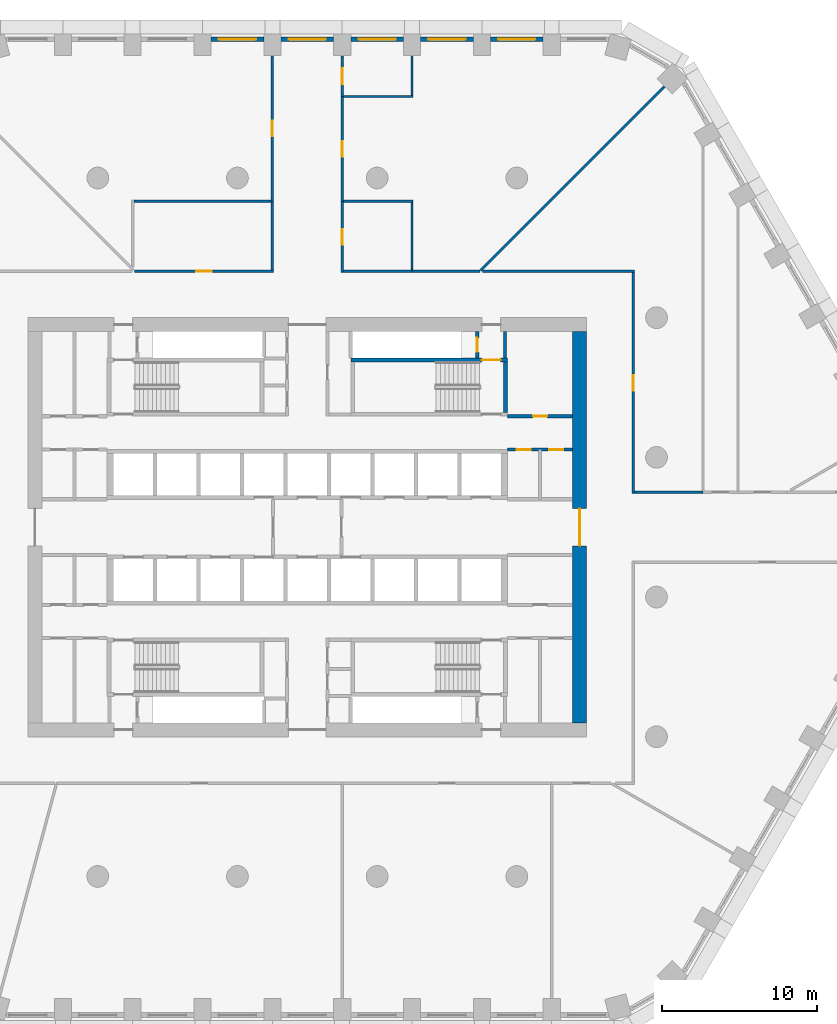
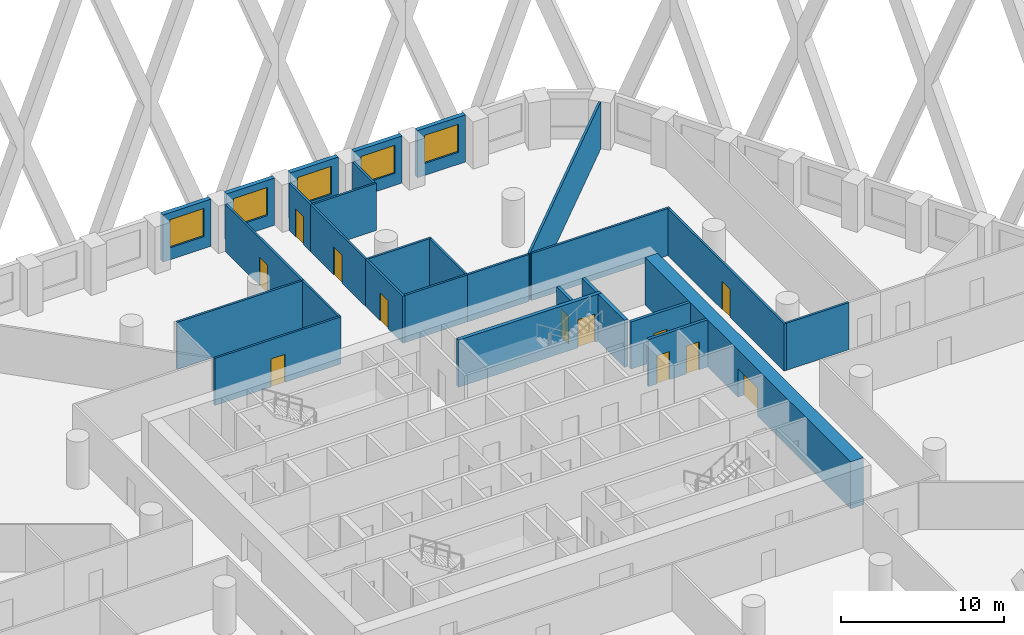
# One storey, part 7 of 18: 29 walls, 12 doors, 5 windows, 17 openings.
"""IFC4 building model written with IfcOpenShell, lengths in metres."""

from ifc_helpers import new_model, si_unit, direction, frame, frame_2d, origin, place, context, subcontext, project, spatial, rectangle, extrude, material, layer, layer_set, type_object, element, fill, save


model = new_model("IFC4")

# Units and contexts
model_context = context("Model", 3, precision=1e-05, world=origin(), true_north=direction((0.0, 1.0)))
body_context = subcontext(model_context, "Body", "Model", "MODEL_VIEW")
ifc_project = project(units=[si_unit("LENGTHUNIT", "METRE"), si_unit("AREAUNIT", "SQUARE_METRE"), si_unit("VOLUMEUNIT", "CUBIC_METRE"), si_unit("PLANEANGLEUNIT", "RADIAN"), si_unit("MASSUNIT", "GRAM", prefix="KILO")], contexts=[model_context])

# Site, building, storey
site_placement = place(None, origin())
site = spatial("IfcSite", under=ifc_project, at=site_placement, CompositionType="ELEMENT")
building_placement = place(site_placement, origin())
building = spatial("IfcBuilding", under=site, at=building_placement, Name="Dhurran Vertical Campus", CompositionType="ELEMENT")
storey_placement = place(building_placement, frame((0.0, 0.0, 53.39990234375)))
storey = spatial("IfcBuildingStorey", under=building, at=storey_placement, Name="L12", CompositionType="ELEMENT", Elevation=53.39990234375)

# Wall, opening, window
ifc_material_1 = material(Name="Precast concrete C50/60", Category="concrete")
ifc_layer_1 = layer(ifc_material_1, 0.300048828125)
ifc_layer_set_1 = layer_set([ifc_layer_1], Name="Precast concrete C50/60")
wall_type_1 = type_object("IfcWallType", Name="Precast spandrel wall 300", PredefinedType="SOLIDWALL", material=ifc_layer_set_1)
wall_1_placement = place(storey_placement, frame((15.199462890625, 31.4296875, 0.0), z_axis=(0.0, 0.0, 1.0), x_axis=(-1.0, 0.0, 0.0)))
wall_1 = element("IfcWall", 1, at=wall_1_placement, inside=storey, type_object=wall_type_1, Name="EW1 L12.27", PredefinedType="SOLIDWALL", context=body_context, shape_type="SweptSolid", body=[
    extrude(rectangle(XDim=3.39892578125, YDim=0.300048828125, at=frame_2d((1.699462890625, 0.0))), origin(), (0.0, 0.0, 1.0), 3.525146484375),
])
opening_1_placement = place(wall_1_placement, frame((0.49951171875, 0.0, 0.89990234375)))
opening_1 = element("IfcOpeningElement", 2, at=opening_1_placement, cuts=wall_1, Name="Opening WT1", PredefinedType="OPENING", context=body_context, shape_type="SweptSolid", body=[
    extrude(rectangle(XDim=2.39990234375, YDim=2.10009765625, at=frame_2d((1.199951171875, 1.050048828125))), frame((0.0, 0.159912109375, 0.0), z_axis=(0.0, -1.0, 0.0), x_axis=(1.0, 0.0, 0.0)), (0.0, 0.0, 1.0), 0.320068359375),
])
ifc_material_2 = material(Name="Aluminium frame with solar-control glass", Category="aluminium")
window_type = type_object("IfcWindowType", Name="Punched window 2400 x 2100", PartitioningType="SINGLE_PANEL", PredefinedType="WINDOW", material=ifc_material_2)
window_1_placement = place(opening_1_placement, origin())
window_1 = element("IfcWindow", 3, at=window_1_placement, inside=storey, type_object=window_type, Name="WT1 L12.27", OverallHeight=2.10009765625, OverallWidth=2.39990234375, PartitioningType="SINGLE_PANEL", PredefinedType="WINDOW", context=body_context, shape_type="SweptSolid", body=[
    extrude(rectangle(XDim=2.39990234375, YDim=2.10009765625, at=frame_2d((1.199951171875, 1.050048828125))), frame((0.0, 0.030029296875, 0.0), z_axis=(0.0, -1.0, 0.0), x_axis=(1.0, 0.0, 0.0)), (0.0, 0.0, 1.0), 0.06005859375),
])
fill(opening_1, window_1)

wall_2_placement = place(storey_placement, frame((10.699462890625, 31.4296875, 0.0), z_axis=(0.0, 0.0, 1.0), x_axis=(-1.0, 0.0, 0.0)))
wall_2 = element("IfcWall", 4, at=wall_2_placement, inside=storey, type_object=wall_type_1, Name="EW1 L12.28", PredefinedType="SOLIDWALL", context=body_context, shape_type="SweptSolid", body=[
    extrude(rectangle(XDim=3.39892578125, YDim=0.300048828125, at=frame_2d((1.699462890625, 0.0))), origin(), (0.0, 0.0, 1.0), 3.525146484375),
])
opening_2_placement = place(wall_2_placement, frame((0.49951171875, 0.0, 0.89990234375)))
opening_2 = element("IfcOpeningElement", 5, at=opening_2_placement, cuts=wall_2, Name="Opening WT1", PredefinedType="OPENING", context=body_context, shape_type="SweptSolid", body=[
    extrude(rectangle(XDim=2.39990234375, YDim=2.10009765625, at=frame_2d((1.199951171875, 1.050048828125))), frame((0.0, 0.159912109375, 0.0), z_axis=(0.0, -1.0, 0.0), x_axis=(1.0, 0.0, 0.0)), (0.0, 0.0, 1.0), 0.320068359375),
])
window_2_placement = place(opening_2_placement, origin())
window_2 = element("IfcWindow", 6, at=window_2_placement, inside=storey, type_object=window_type, Name="WT1 L12.28", OverallHeight=2.10009765625, OverallWidth=2.39990234375, PartitioningType="SINGLE_PANEL", PredefinedType="WINDOW", context=body_context, shape_type="SweptSolid", body=[
    extrude(rectangle(XDim=2.39990234375, YDim=2.10009765625, at=frame_2d((1.199951171875, 1.050048828125))), frame((0.0, 0.030029296875, 0.0), z_axis=(0.0, -1.0, 0.0), x_axis=(1.0, 0.0, 0.0)), (0.0, 0.0, 1.0), 0.06005859375),
])
fill(opening_2, window_2)

wall_3_placement = place(storey_placement, frame((6.199462890625, 31.4296875, 0.0), z_axis=(0.0, 0.0, 1.0), x_axis=(-1.0, 0.0, 0.0)))
wall_3 = element("IfcWall", 7, at=wall_3_placement, inside=storey, type_object=wall_type_1, Name="EW1 L12.29", PredefinedType="SOLIDWALL", context=body_context, shape_type="SweptSolid", body=[
    extrude(rectangle(XDim=3.39892578125, YDim=0.300048828125, at=frame_2d((1.699462890625, 0.0))), origin(), (0.0, 0.0, 1.0), 3.525146484375),
])
opening_3_placement = place(wall_3_placement, frame((0.49951171875, 0.0, 0.89990234375)))
opening_3 = element("IfcOpeningElement", 8, at=opening_3_placement, cuts=wall_3, Name="Opening WT1", PredefinedType="OPENING", context=body_context, shape_type="SweptSolid", body=[
    extrude(rectangle(XDim=2.39990234375, YDim=2.10009765625, at=frame_2d((1.199951171875, 1.050048828125))), frame((0.0, 0.159912109375, 0.0), z_axis=(0.0, -1.0, 0.0), x_axis=(1.0, 0.0, 0.0)), (0.0, 0.0, 1.0), 0.320068359375),
])
window_3_placement = place(opening_3_placement, origin())
window_3 = element("IfcWindow", 9, at=window_3_placement, inside=storey, type_object=window_type, Name="WT1 L12.29", OverallHeight=2.10009765625, OverallWidth=2.39990234375, PartitioningType="SINGLE_PANEL", PredefinedType="WINDOW", context=body_context, shape_type="SweptSolid", body=[
    extrude(rectangle(XDim=2.39990234375, YDim=2.10009765625, at=frame_2d((1.199951171875, 1.050048828125))), frame((0.0, 0.030029296875, 0.0), z_axis=(0.0, -1.0, 0.0), x_axis=(1.0, 0.0, 0.0)), (0.0, 0.0, 1.0), 0.06005859375),
])
fill(opening_3, window_3)

wall_4_placement = place(storey_placement, frame((1.699462890625, 31.4296875, 0.0), z_axis=(0.0, 0.0, 1.0), x_axis=(-1.0, 0.0, 0.0)))
wall_4 = element("IfcWall", 10, at=wall_4_placement, inside=storey, type_object=wall_type_1, Name="EW1 L12.30", PredefinedType="SOLIDWALL", context=body_context, shape_type="SweptSolid", body=[
    extrude(rectangle(XDim=3.39892578125, YDim=0.300048828125, at=frame_2d((1.699462890625, 0.0))), origin(), (0.0, 0.0, 1.0), 3.525146484375),
])
opening_4_placement = place(wall_4_placement, frame((0.49951171875, 0.0, 0.89990234375)))
opening_4 = element("IfcOpeningElement", 11, at=opening_4_placement, cuts=wall_4, Name="Opening WT1", PredefinedType="OPENING", context=body_context, shape_type="SweptSolid", body=[
    extrude(rectangle(XDim=2.39990234375, YDim=2.10009765625, at=frame_2d((1.199951171875, 1.050048828125))), frame((0.0, 0.159912109375, 0.0), z_axis=(0.0, -1.0, 0.0), x_axis=(1.0, 0.0, 0.0)), (0.0, 0.0, 1.0), 0.320068359375),
])
window_4_placement = place(opening_4_placement, origin())
window_4 = element("IfcWindow", 12, at=window_4_placement, inside=storey, type_object=window_type, Name="WT1 L12.30", OverallHeight=2.10009765625, OverallWidth=2.39990234375, PartitioningType="SINGLE_PANEL", PredefinedType="WINDOW", context=body_context, shape_type="SweptSolid", body=[
    extrude(rectangle(XDim=2.39990234375, YDim=2.10009765625, at=frame_2d((1.199951171875, 1.050048828125))), frame((0.0, 0.030029296875, 0.0), z_axis=(0.0, -1.0, 0.0), x_axis=(1.0, 0.0, 0.0)), (0.0, 0.0, 1.0), 0.06005859375),
])
fill(opening_4, window_4)

wall_5_placement = place(storey_placement, frame((-2.800537109375, 31.4296875, 0.0), z_axis=(0.0, 0.0, 1.0), x_axis=(-1.0, 0.0, 0.0)))
wall_5 = element("IfcWall", 13, at=wall_5_placement, inside=storey, type_object=wall_type_1, Name="EW1 L12.31", PredefinedType="SOLIDWALL", context=body_context, shape_type="SweptSolid", body=[
    extrude(rectangle(XDim=3.39892578125, YDim=0.300048828125, at=frame_2d((1.699462890625, 0.0))), origin(), (0.0, 0.0, 1.0), 3.525146484375),
])
opening_5_placement = place(wall_5_placement, frame((0.49951171875, 0.0, 0.89990234375)))
opening_5 = element("IfcOpeningElement", 14, at=opening_5_placement, cuts=wall_5, Name="Opening WT1", PredefinedType="OPENING", context=body_context, shape_type="SweptSolid", body=[
    extrude(rectangle(XDim=2.39990234375, YDim=2.10009765625, at=frame_2d((1.199951171875, 1.050048828125))), frame((0.0, 0.159912109375, 0.0), z_axis=(0.0, -1.0, 0.0), x_axis=(1.0, 0.0, 0.0)), (0.0, 0.0, 1.0), 0.320068359375),
])
window_5_placement = place(opening_5_placement, origin())
window_5 = element("IfcWindow", 15, at=window_5_placement, inside=storey, type_object=window_type, Name="WT1 L12.31", OverallHeight=2.10009765625, OverallWidth=2.39990234375, PartitioningType="SINGLE_PANEL", PredefinedType="WINDOW", context=body_context, shape_type="SweptSolid", body=[
    extrude(rectangle(XDim=2.39990234375, YDim=2.10009765625, at=frame_2d((1.199951171875, 1.050048828125))), frame((0.0, 0.030029296875, 0.0), z_axis=(0.0, -1.0, 0.0), x_axis=(1.0, 0.0, 0.0)), (0.0, 0.0, 1.0), 0.06005859375),
])
fill(opening_5, window_5)

# Wall, opening, door
ifc_material_3 = material(Name="Concrete C60/75", Category="concrete")
ifc_layer_2 = layer(ifc_material_3, 0.89990234375)
ifc_layer_set_2 = layer_set([ifc_layer_2], Name="Concrete C60/75")
wall_type_2 = type_object("IfcWallType", Name="co-CORE-WALL-C0-900", PredefinedType="SHEAR", material=ifc_layer_set_2)
wall_6_placement = place(storey_placement, frame((17.550048828125, -12.60009765625, 0.0), z_axis=(0.0, 0.0, 1.0), x_axis=(0.0, 1.0, 0.0)))
wall_6 = element("IfcWall", 16, at=wall_6_placement, inside=storey, type_object=wall_type_2, Name="Core wall E L12", PredefinedType="SHEAR", context=body_context, shape_type="SweptSolid", body=[
    extrude(rectangle(XDim=25.2001953125, YDim=0.89990234375, at=frame_2d((12.60009765625, 0.0))), origin(), (0.0, 0.0, 1.0), 3.525146484375),
])
opening_6_placement = place(wall_6_placement, frame((11.39990234375, 0.0, 0.0)))
opening_6 = element("IfcOpeningElement", 17, at=opening_6_placement, cuts=wall_6, Name="Opening CL2", PredefinedType="OPENING", context=body_context, shape_type="SweptSolid", body=[
    extrude(rectangle(XDim=2.39990234375, YDim=2.10009765625, at=frame_2d((1.199951171875, 1.050048828125))), frame((0.0, 0.4599609375, 0.0), z_axis=(0.0, -1.0, 0.0), x_axis=(1.0, 0.0, 0.0)), (0.0, 0.0, 1.0), 0.919921875),
])
ifc_material_4 = material(Name="Fire-rated glazed door set")
door_type_1 = type_object("IfcDoorType", Name="co-D-LOBBY 2400x2100", OperationType="DOUBLE_DOOR_DOUBLE_SWING", PredefinedType="DOOR", material=ifc_material_4)
door_1_placement = place(opening_6_placement, origin())
door_1 = element("IfcDoor", 18, at=door_1_placement, inside=storey, type_object=door_type_1, Name="Lift lobby door E L12", OperationType="DOUBLE_DOOR_DOUBLE_SWING", OverallHeight=2.10009765625, OverallWidth=2.39990234375, PredefinedType="DOOR", context=body_context, shape_type="SweptSolid", body=[
    extrude(rectangle(XDim=2.39990234375, YDim=2.10009765625, at=frame_2d((1.199951171875, 1.050048828125))), frame((0.0, 0.02490234375, 0.0), z_axis=(0.0, -1.0, 0.0), x_axis=(1.0, 0.0, 0.0)), (0.0, 0.0, 1.0), 0.050048828125),
])
fill(opening_6, door_1)

# Wall
ifc_material_5 = material(Name="Fire-rated masonry blockwork", Category="masonry")
ifc_layer_3 = layer(ifc_material_5, 0.199951171875)
ifc_layer_set_3 = layer_set([ifc_layer_3], Name="Fire-rated masonry blockwork")
wall_type_3 = type_object("IfcWallType", Name="co-FIRE-PARTITION-200", PredefinedType="PARTITIONING", material=ifc_layer_set_3)
wall_7_placement = place(storey_placement, frame((12.75, 10.89990234375, 0.0), z_axis=(0.0, 0.0, 1.0), x_axis=(0.0, 1.0, 0.0)))
element("IfcWall", 19, at=wall_7_placement, inside=storey, type_object=wall_type_3, Name="Core partition pass-ST2-o L12", PredefinedType="PARTITIONING", context=body_context, shape_type="SweptSolid", body=[
    extrude(rectangle(XDim=1.7001953125, YDim=0.199951171875, at=frame_2d((0.85009765625, 0.0))), origin(), (0.0, 0.0, 1.0), 3.525146484375),
])

# Wall, opening, door
wall_8_placement = place(storey_placement, frame((10.949951171875, 10.89990234375, 0.0), z_axis=(0.0, 0.0, 1.0), x_axis=(0.0, 1.0, 0.0)))
wall_8 = element("IfcWall", 20, at=wall_8_placement, inside=storey, type_object=wall_type_3, Name="Core partition pass-ST2-i L12", PredefinedType="PARTITIONING", context=body_context, shape_type="SweptSolid", body=[
    extrude(rectangle(XDim=1.7001953125, YDim=0.199951171875, at=frame_2d((0.85009765625, 0.0))), origin(), (0.0, 0.0, 1.0), 3.525146484375),
])
opening_7_placement = place(wall_8_placement, frame((0.39990234375, 0.0, 0.0)))
opening_7 = element("IfcOpeningElement", 21, at=opening_7_placement, cuts=wall_8, Name="Opening T03-C11", PredefinedType="OPENING", context=body_context, shape_type="SweptSolid", body=[
    extrude(rectangle(XDim=0.89990234375, YDim=2.10009765625, at=frame_2d((0.449951171875, 1.050048828125))), frame((0.0, 0.10986328125, 0.0), z_axis=(0.0, -1.0, 0.0), x_axis=(1.0, 0.0, 0.0)), (0.0, 0.0, 1.0), 0.219970703125),
])
ifc_material_6 = material(Name="Fire-rated timber door set", Category="wood")
door_type_2 = type_object("IfcDoorType", Name="co-D-ROOM 900x2100", OperationType="SINGLE_SWING_LEFT", PredefinedType="DOOR", material=ifc_material_6)
door_2_placement = place(opening_7_placement, origin())
door_2 = element("IfcDoor", 22, at=door_2_placement, inside=storey, type_object=door_type_2, Name="Riser room door L12", OperationType="SINGLE_SWING_LEFT", OverallHeight=2.10009765625, OverallWidth=0.89990234375, PredefinedType="DOOR", context=body_context, shape_type="SweptSolid", body=[
    extrude(rectangle(XDim=0.89990234375, YDim=2.10009765625, at=frame_2d((0.449951171875, 1.050048828125))), frame((0.0, 0.02490234375, 0.0), z_axis=(0.0, -1.0, 0.0), x_axis=(1.0, 0.0, 0.0)), (0.0, 0.0, 1.0), 0.050048828125),
])
fill(opening_7, door_2)

wall_9_placement = place(storey_placement, frame((12.89990234375, 7.14990234375, 0.0), z_axis=(0.0, 0.0, 1.0), x_axis=(1.0, 0.0, 0.0)))
wall_9 = element("IfcWall", 23, at=wall_9_placement, inside=storey, type_object=wall_type_3, Name="Core partition en-NE-w L12", PredefinedType="PARTITIONING", context=body_context, shape_type="SweptSolid", body=[
    extrude(rectangle(XDim=4.2001953125, YDim=0.199951171875, at=frame_2d((2.10009765625, 0.0))), origin(), (0.0, 0.0, 1.0), 3.525146484375),
])
opening_8_placement = place(wall_9_placement, frame((1.64990234375, 0.0, 0.0)))
opening_8 = element("IfcOpeningElement", 24, at=opening_8_placement, cuts=wall_9, Name="Opening T03-C18", PredefinedType="OPENING", context=body_context, shape_type="SweptSolid", body=[
    extrude(rectangle(XDim=0.89990234375, YDim=2.10009765625, at=frame_2d((0.449951171875, 1.050048828125))), frame((0.0, 0.10986328125, 0.0), z_axis=(0.0, -1.0, 0.0), x_axis=(1.0, 0.0, 0.0)), (0.0, 0.0, 1.0), 0.219970703125),
])
door_3_placement = place(opening_8_placement, origin())
door_3 = element("IfcDoor", 25, at=door_3_placement, inside=storey, type_object=door_type_2, Name="Pantry door L12", OperationType="SINGLE_SWING_LEFT", OverallHeight=2.10009765625, OverallWidth=0.89990234375, PredefinedType="DOOR", context=body_context, shape_type="SweptSolid", body=[
    extrude(rectangle(XDim=0.89990234375, YDim=2.10009765625, at=frame_2d((0.449951171875, 1.050048828125))), frame((0.0, 0.02490234375, 0.0), z_axis=(0.0, -1.0, 0.0), x_axis=(1.0, 0.0, 0.0)), (0.0, 0.0, 1.0), 0.050048828125),
])
fill(opening_8, door_3)

# Wall, openings, doors
wall_10_placement = place(storey_placement, frame((12.89990234375, 5.0, 0.0), z_axis=(0.0, 0.0, 1.0), x_axis=(1.0, 0.0, 0.0)))
wall_10 = element("IfcWall", 26, at=wall_10_placement, inside=storey, type_object=wall_type_3, Name="Core partition es-NE-w L12", PredefinedType="PARTITIONING", context=body_context, shape_type="SweptSolid", body=[
    extrude(rectangle(XDim=4.2001953125, YDim=0.199951171875, at=frame_2d((2.10009765625, 0.0))), origin(), (0.0, 0.0, 1.0), 3.525146484375),
])
opening_9_placement = place(wall_10_placement, frame((0.60009765625, 0.0, 0.0)))
opening_9 = element("IfcOpeningElement", 27, at=opening_9_placement, cuts=wall_10, Name="Opening T03-C19", PredefinedType="OPENING", context=body_context, shape_type="SweptSolid", body=[
    extrude(rectangle(XDim=0.89990234375, YDim=2.10009765625, at=frame_2d((0.449951171875, 1.050048828125))), frame((0.0, 0.10986328125, 0.0), z_axis=(0.0, -1.0, 0.0), x_axis=(1.0, 0.0, 0.0)), (0.0, 0.0, 1.0), 0.219970703125),
])
opening_10_placement = place(wall_10_placement, frame((2.699951171875, 0.0, 0.0)))
opening_10 = element("IfcOpeningElement", 28, at=opening_10_placement, cuts=wall_10, Name="Opening T03-C20", PredefinedType="OPENING", context=body_context, shape_type="SweptSolid", body=[
    extrude(rectangle(XDim=0.89990234375, YDim=2.10009765625, at=frame_2d((0.449951171875, 1.050048828125))), frame((0.0, 0.10986328125, 0.0), z_axis=(0.0, -1.0, 0.0), x_axis=(1.0, 0.0, 0.0)), (0.0, 0.0, 1.0), 0.219970703125),
])
door_4_placement = place(opening_9_placement, origin())
door_4 = element("IfcDoor", 29, at=door_4_placement, inside=storey, type_object=door_type_2, Name="Store door L12", OperationType="SINGLE_SWING_LEFT", OverallHeight=2.10009765625, OverallWidth=0.89990234375, PredefinedType="DOOR", context=body_context, shape_type="SweptSolid", body=[
    extrude(rectangle(XDim=0.89990234375, YDim=2.10009765625, at=frame_2d((0.449951171875, 1.050048828125))), frame((0.0, 0.02490234375, 0.0), z_axis=(0.0, -1.0, 0.0), x_axis=(1.0, 0.0, 0.0)), (0.0, 0.0, 1.0), 0.050048828125),
])
fill(opening_9, door_4)
door_5_placement = place(opening_10_placement, origin())
door_5 = element("IfcDoor", 30, at=door_5_placement, inside=storey, type_object=door_type_2, Name="Pantry door L12", OperationType="SINGLE_SWING_LEFT", OverallHeight=2.10009765625, OverallWidth=0.89990234375, PredefinedType="DOOR", context=body_context, shape_type="SweptSolid", body=[
    extrude(rectangle(XDim=0.89990234375, YDim=2.10009765625, at=frame_2d((0.449951171875, 1.050048828125))), frame((0.0, 0.02490234375, 0.0), z_axis=(0.0, -1.0, 0.0), x_axis=(1.0, 0.0, 0.0)), (0.0, 0.0, 1.0), 0.050048828125),
])
fill(opening_10, door_5)

# Wall, opening, door
ifc_material_7 = material(Name="Concrete C40/50", Category="concrete")
ifc_layer_4 = layer(ifc_material_7, 0.25)
ifc_layer_set_4 = layer_set([ifc_layer_4], Name="Concrete C40/50")
wall_type_4 = type_object("IfcWallType", Name="co-STAIR-WALL-250", PredefinedType="SHEAR", material=ifc_layer_set_4)
wall_11_placement = place(storey_placement, frame((2.800048828125, 10.77490234375, 0.0), z_axis=(0.0, 0.0, 1.0), x_axis=(1.0, 0.0, 0.0)))
wall_11 = element("IfcWall", 31, at=wall_11_placement, inside=storey, type_object=wall_type_4, Name="Stair ST2 enclosure wall L12", PredefinedType="SHEAR", context=body_context, shape_type="SweptSolid", body=[
    extrude(rectangle(XDim=10.099853515625, YDim=0.25, at=frame_2d((5.0498046875, 0.0))), origin(), (0.0, 0.0, 1.0), 3.525146484375),
])
opening_11_placement = place(wall_11_placement, frame((8.449951171875, 0.0, 0.0)))
opening_11 = element("IfcOpeningElement", 32, at=opening_11_placement, cuts=wall_11, Name="Opening XS2", PredefinedType="OPENING", context=body_context, shape_type="SweptSolid", body=[
    extrude(rectangle(XDim=1.199951171875, YDim=2.10009765625, at=frame_2d((0.60009765625, 1.050048828125))), frame((0.0, 0.135009765625, 0.0), z_axis=(0.0, -1.0, 0.0), x_axis=(1.0, 0.0, 0.0)), (0.0, 0.0, 1.0), 0.27001953125),
])
ifc_material_8 = material(Name="Fire-rated steel door set", Category="steel")
door_type_3 = type_object("IfcDoorType", Name="co-D-STAIR-EXIT 1200x2100", OperationType="SINGLE_SWING_RIGHT", PredefinedType="DOOR", material=ifc_material_8)
door_6_placement = place(opening_11_placement, origin())
door_6 = element("IfcDoor", 33, at=door_6_placement, inside=storey, type_object=door_type_3, Name="Stair ST2 discharge door L12", OperationType="SINGLE_SWING_RIGHT", OverallHeight=2.10009765625, OverallWidth=1.199951171875, PredefinedType="DOOR", context=body_context, shape_type="SweptSolid", body=[
    extrude(rectangle(XDim=1.199951171875, YDim=2.10009765625, at=frame_2d((0.60009765625, 1.050048828125))), frame((0.0, 0.02490234375, 0.0), z_axis=(0.0, -1.0, 0.0), x_axis=(1.0, 0.0, 0.0)), (0.0, 0.0, 1.0), 0.050048828125),
])
fill(opening_11, door_6)

# Wall
wall_12_placement = place(storey_placement, frame((12.77490234375, 7.39990234375, 0.0), z_axis=(0.0, 0.0, 1.0), x_axis=(0.0, 1.0, 0.0)))
element("IfcWall", 34, at=wall_12_placement, inside=storey, type_object=wall_type_4, Name="Stair ST2 enclosure wall L12", PredefinedType="SHEAR", context=body_context, shape_type="SweptSolid", body=[
    extrude(rectangle(XDim=3.25, YDim=0.25, at=frame_2d((1.625, 0.0))), origin(), (0.0, 0.0, 1.0), 3.525146484375),
])

# Wall, opening, door
ifc_material_9 = material(Name="Gypsum board corridor wall on steel studs", Category="steel")
ifc_layer_5 = layer(ifc_material_9, 0.14990234375)
ifc_layer_set_5 = layer_set([ifc_layer_5], Name="Gypsum board corridor wall on steel studs")
wall_type_5 = type_object("IfcWallType", Name="fl-CW-150 corridor wall", PredefinedType="PARTITIONING", material=ifc_layer_set_5)
wall_13_placement = place(storey_placement, frame((-2.175048828125, 16.5, 0.0), z_axis=(0.0, 0.0, 1.0), x_axis=(-1.0, 0.0, 0.0)))
wall_13 = element("IfcWall", 35, at=wall_13_placement, inside=storey, type_object=wall_type_5, Name="Partition 12-21", PredefinedType="PARTITIONING", context=body_context, shape_type="SweptSolid", body=[
    extrude(rectangle(XDim=8.94189453125, YDim=0.14990234375, at=frame_2d((4.470947265625, 0.0))), origin(), (0.0, 0.0, 1.0), 3.525146484375),
])
opening_12_placement = place(wall_13_placement, frame((3.970947265625, 0.0, 0.0)))
opening_12 = element("IfcOpeningElement", 36, at=opening_12_placement, cuts=wall_13, Name="Opening T03.08", PredefinedType="OPENING", context=body_context, shape_type="SweptSolid", body=[
    extrude(rectangle(XDim=1.0, YDim=2.10009765625, at=frame_2d((0.5, 1.050048828125))), frame((0.0, 0.0849609375, 0.0), z_axis=(0.0, -1.0, 0.0), x_axis=(1.0, 0.0, 0.0)), (0.0, 0.0, 1.0), 0.169921875),
])
ifc_material_10 = material(Name="Solid-core timber door set, fire-rated", Category="wood")
door_type_4 = type_object("IfcDoorType", Name="fl-D-1000x2100", OperationType="SINGLE_SWING_LEFT", PredefinedType="DOOR", material=ifc_material_10)
door_7_placement = place(opening_12_placement, origin())
door_7 = element("IfcDoor", 37, at=door_7_placement, inside=storey, type_object=door_type_4, Name="Door 12.08", OperationType="SINGLE_SWING_RIGHT", OverallHeight=2.10009765625, OverallWidth=1.0, PredefinedType="DOOR", context=body_context, shape_type="SweptSolid", body=[
    extrude(rectangle(XDim=1.0, YDim=2.10009765625, at=frame_2d((0.5, 1.050048828125))), frame((0.0, 0.02490234375, 0.0), z_axis=(0.0, -1.0, 0.0), x_axis=(1.0, 0.0, 0.0)), (0.0, 0.0, 1.0), 0.050048828125),
])
fill(opening_12, door_7)

# Wall
wall_14_placement = place(storey_placement, frame((-2.25, 16.574951171875, 0.0), z_axis=(0.0, 0.0, 1.0), x_axis=(0.0, 1.0, 0.0)))
element("IfcWall", 38, at=wall_14_placement, inside=storey, type_object=wall_type_5, Name="Partition 12-22", PredefinedType="PARTITIONING", context=body_context, shape_type="SweptSolid", body=[
    extrude(rectangle(XDim=4.425048828125, YDim=0.14990234375, at=frame_2d((2.21240234375, 0.0))), origin(), (0.0, 0.0, 1.0), 3.525146484375),
])

# Wall, opening, door
wall_15_placement = place(storey_placement, frame((-2.25, 21.0, 0.0), z_axis=(0.0, 0.0, 1.0), x_axis=(0.0, 1.0, 0.0)))
wall_15 = element("IfcWall", 39, at=wall_15_placement, inside=storey, type_object=wall_type_5, Name="Partition 12-23", PredefinedType="PARTITIONING", context=body_context, shape_type="SweptSolid", body=[
    extrude(rectangle(XDim=9.35986328125, YDim=0.14990234375, at=frame_2d((4.679931640625, 0.0))), origin(), (0.0, 0.0, 1.0), 3.525146484375),
])
opening_13_placement = place(wall_15_placement, frame((4.179931640625, 0.0, 0.0)))
opening_13 = element("IfcOpeningElement", 40, at=opening_13_placement, cuts=wall_15, Name="Opening T03.06", PredefinedType="OPENING", context=body_context, shape_type="SweptSolid", body=[
    extrude(rectangle(XDim=1.0, YDim=2.10009765625, at=frame_2d((0.5, 1.050048828125))), frame((0.0, 0.0849609375, 0.0), z_axis=(0.0, -1.0, 0.0), x_axis=(1.0, 0.0, 0.0)), (0.0, 0.0, 1.0), 0.169921875),
])
door_8_placement = place(opening_13_placement, origin())
door_8 = element("IfcDoor", 41, at=door_8_placement, inside=storey, type_object=door_type_4, Name="Door 12.06", OperationType="SINGLE_SWING_LEFT", OverallHeight=2.10009765625, OverallWidth=1.0, PredefinedType="DOOR", context=body_context, shape_type="SweptSolid", body=[
    extrude(rectangle(XDim=1.0, YDim=2.10009765625, at=frame_2d((0.5, 1.050048828125))), frame((0.0, 0.02490234375, 0.0), z_axis=(0.0, -1.0, 0.0), x_axis=(1.0, 0.0, 0.0)), (0.0, 0.0, 1.0), 0.050048828125),
])
fill(opening_13, door_8)

wall_16_placement = place(storey_placement, frame((2.25, 21.0, 0.0), z_axis=(0.0, 0.0, 1.0), x_axis=(0.0, -1.0, 0.0)))
wall_16 = element("IfcWall", 42, at=wall_16_placement, inside=storey, type_object=wall_type_5, Name="Partition 12-26", PredefinedType="PARTITIONING", context=body_context, shape_type="SweptSolid", body=[
    extrude(rectangle(XDim=4.574951171875, YDim=0.14990234375, at=frame_2d((2.28759765625, 0.0))), origin(), (0.0, 0.0, 1.0), 3.525146484375),
])
opening_14_placement = place(wall_16_placement, frame((1.78759765625, 0.0, 0.0)))
opening_14 = element("IfcOpeningElement", 43, at=opening_14_placement, cuts=wall_16, Name="Opening T03.09", PredefinedType="OPENING", context=body_context, shape_type="SweptSolid", body=[
    extrude(rectangle(XDim=1.0, YDim=2.10009765625, at=frame_2d((0.5, 1.050048828125))), frame((0.0, 0.0849609375, 0.0), z_axis=(0.0, -1.0, 0.0), x_axis=(1.0, 0.0, 0.0)), (0.0, 0.0, 1.0), 0.169921875),
])
door_9_placement = place(opening_14_placement, origin())
door_9 = element("IfcDoor", 44, at=door_9_placement, inside=storey, type_object=door_type_4, Name="Door 12.09", OperationType="SINGLE_SWING_LEFT", OverallHeight=2.10009765625, OverallWidth=1.0, PredefinedType="DOOR", context=body_context, shape_type="SweptSolid", body=[
    extrude(rectangle(XDim=1.0, YDim=2.10009765625, at=frame_2d((0.5, 1.050048828125))), frame((0.0, 0.02490234375, 0.0), z_axis=(0.0, -1.0, 0.0), x_axis=(1.0, 0.0, 0.0)), (0.0, 0.0, 1.0), 0.050048828125),
])
fill(opening_14, door_9)

# Wall
wall_17_placement = place(storey_placement, frame((6.75, 16.5, 0.0), z_axis=(0.0, 0.0, 1.0), x_axis=(-1.0, 0.0, 0.0)))
element("IfcWall", 45, at=wall_17_placement, inside=storey, type_object=wall_type_5, Name="Partition 12-27", PredefinedType="PARTITIONING", context=body_context, shape_type="SweptSolid", body=[
    extrude(rectangle(XDim=4.425048828125, YDim=0.14990234375, at=frame_2d((2.21240234375, 0.0))), origin(), (0.0, 0.0, 1.0), 3.525146484375),
])

# Wall, opening, door
wall_18_placement = place(storey_placement, frame((2.25, 27.75, 0.0), z_axis=(0.0, 0.0, 1.0), x_axis=(0.0, -1.0, 0.0)))
wall_18 = element("IfcWall", 46, at=wall_18_placement, inside=storey, type_object=wall_type_5, Name="Partition 12-28", PredefinedType="PARTITIONING", context=body_context, shape_type="SweptSolid", body=[
    extrude(rectangle(XDim=6.75, YDim=0.14990234375, at=frame_2d((3.375, 0.0))), origin(), (0.0, 0.0, 1.0), 3.525146484375),
])
opening_15_placement = place(wall_18_placement, frame((2.875, 0.0, 0.0)))
opening_15 = element("IfcOpeningElement", 47, at=opening_15_placement, cuts=wall_18, Name="Opening T03.12", PredefinedType="OPENING", context=body_context, shape_type="SweptSolid", body=[
    extrude(rectangle(XDim=1.0, YDim=2.10009765625, at=frame_2d((0.5, 1.050048828125))), frame((0.0, 0.0849609375, 0.0), z_axis=(0.0, -1.0, 0.0), x_axis=(1.0, 0.0, 0.0)), (0.0, 0.0, 1.0), 0.169921875),
])
door_10_placement = place(opening_15_placement, origin())
door_10 = element("IfcDoor", 48, at=door_10_placement, inside=storey, type_object=door_type_4, Name="Door 12.12", OperationType="SINGLE_SWING_RIGHT", OverallHeight=2.10009765625, OverallWidth=1.0, PredefinedType="DOOR", context=body_context, shape_type="SweptSolid", body=[
    extrude(rectangle(XDim=1.0, YDim=2.10009765625, at=frame_2d((0.5, 1.050048828125))), frame((0.0, 0.02490234375, 0.0), z_axis=(0.0, -1.0, 0.0), x_axis=(1.0, 0.0, 0.0)), (0.0, 0.0, 1.0), 0.050048828125),
])
fill(opening_15, door_10)

wall_19_placement = place(storey_placement, frame((2.25, 30.35986328125, 0.0), z_axis=(0.0, 0.0, 1.0), x_axis=(0.0, -1.0, 0.0)))
wall_19 = element("IfcWall", 49, at=wall_19_placement, inside=storey, type_object=wall_type_5, Name="Partition 12-30", PredefinedType="PARTITIONING", context=body_context, shape_type="SweptSolid", body=[
    extrude(rectangle(XDim=2.60986328125, YDim=0.14990234375, at=frame_2d((1.304931640625, 0.0))), origin(), (0.0, 0.0, 1.0), 3.525146484375),
])
opening_16_placement = place(wall_19_placement, frame((0.804931640625, 0.0, 0.0)))
opening_16 = element("IfcOpeningElement", 50, at=opening_16_placement, cuts=wall_19, Name="Opening T03.10", PredefinedType="OPENING", context=body_context, shape_type="SweptSolid", body=[
    extrude(rectangle(XDim=1.0, YDim=2.10009765625, at=frame_2d((0.5, 1.050048828125))), frame((0.0, 0.0849609375, 0.0), z_axis=(0.0, -1.0, 0.0), x_axis=(1.0, 0.0, 0.0)), (0.0, 0.0, 1.0), 0.169921875),
])
door_11_placement = place(opening_16_placement, origin())
door_11 = element("IfcDoor", 51, at=door_11_placement, inside=storey, type_object=door_type_4, Name="Door 12.10", OperationType="SINGLE_SWING_RIGHT", OverallHeight=2.10009765625, OverallWidth=1.0, PredefinedType="DOOR", context=body_context, shape_type="SweptSolid", body=[
    extrude(rectangle(XDim=1.0, YDim=2.10009765625, at=frame_2d((0.5, 1.050048828125))), frame((0.0, 0.02490234375, 0.0), z_axis=(0.0, -1.0, 0.0), x_axis=(1.0, 0.0, 0.0)), (0.0, 0.0, 1.0), 0.050048828125),
])
fill(opening_16, door_11)

# Walls
wall_20_placement = place(storey_placement, frame((11.116943359375, 16.5, 0.0), z_axis=(0.0, 0.0, 1.0), x_axis=(-1.0, 0.0, 0.0)))
element("IfcWall", 52, at=wall_20_placement, inside=storey, type_object=wall_type_5, Name="Partition 12-33", PredefinedType="PARTITIONING", context=body_context, shape_type="SweptSolid", body=[
    extrude(rectangle(XDim=4.366943359375, YDim=0.14990234375, at=frame_2d((2.18359375, 0.0))), origin(), (0.0, 0.0, 1.0), 3.525146484375),
])
wall_21_placement = place(storey_placement, frame((21.074951171875, 16.5, 0.0), z_axis=(0.0, 0.0, 1.0), x_axis=(-1.0, 0.0, 0.0)))
element("IfcWall", 53, at=wall_21_placement, inside=storey, type_object=wall_type_5, Name="Partition 12-35", PredefinedType="PARTITIONING", context=body_context, shape_type="SweptSolid", body=[
    extrude(rectangle(XDim=9.782958984375, YDim=0.14990234375, at=frame_2d((4.8916015625, 0.0))), origin(), (0.0, 0.0, 1.0), 3.525146484375),
])

# Wall, opening, door
wall_22_placement = place(storey_placement, frame((21.0, 2.175048828125, 0.0), z_axis=(0.0, 0.0, 1.0), x_axis=(0.0, 1.0, 0.0)))
wall_22 = element("IfcWall", 54, at=wall_22_placement, inside=storey, type_object=wall_type_5, Name="Partition 12-43", PredefinedType="PARTITIONING", context=body_context, shape_type="SweptSolid", body=[
    extrude(rectangle(XDim=14.25, YDim=0.14990234375, at=frame_2d((7.125, 0.0))), origin(), (0.0, 0.0, 1.0), 3.525146484375),
])
opening_17_placement = place(wall_22_placement, frame((6.625, 0.0, 0.0)))
opening_17 = element("IfcOpeningElement", 55, at=opening_17_placement, cuts=wall_22, Name="Opening T03.14", PredefinedType="OPENING", context=body_context, shape_type="SweptSolid", body=[
    extrude(rectangle(XDim=1.0, YDim=2.10009765625, at=frame_2d((0.5, 1.050048828125))), frame((0.0, 0.0849609375, 0.0), z_axis=(0.0, -1.0, 0.0), x_axis=(1.0, 0.0, 0.0)), (0.0, 0.0, 1.0), 0.169921875),
])
door_12_placement = place(opening_17_placement, origin())
door_12 = element("IfcDoor", 56, at=door_12_placement, inside=storey, type_object=door_type_4, Name="Door 12.14", OperationType="SINGLE_SWING_LEFT", OverallHeight=2.10009765625, OverallWidth=1.0, PredefinedType="DOOR", context=body_context, shape_type="SweptSolid", body=[
    extrude(rectangle(XDim=1.0, YDim=2.10009765625, at=frame_2d((0.5, 1.050048828125))), frame((0.0, 0.02490234375, 0.0), z_axis=(0.0, -1.0, 0.0), x_axis=(1.0, 0.0, 0.0)), (0.0, 0.0, 1.0), 0.050048828125),
])
fill(opening_17, door_12)

# Walls
wall_23_placement = place(storey_placement, frame((21.074951171875, 2.25, 0.0), z_axis=(0.0, 0.0, 1.0), x_axis=(1.0, 0.0, 0.0)))
element("IfcWall", 57, at=wall_23_placement, inside=storey, type_object=wall_type_5, Name="Partition 12-44", PredefinedType="PARTITIONING", context=body_context, shape_type="SweptSolid", body=[
    extrude(rectangle(XDim=4.425048828125, YDim=0.14990234375, at=frame_2d((2.21240234375, 0.0))), origin(), (0.0, 0.0, 1.0), 3.525146484375),
])
ifc_material_11 = material(Name="Gypsum board partition on steel studs", Category="steel")
ifc_layer_6 = layer(ifc_material_11, 0.14990234375)
ifc_layer_set_6 = layer_set([ifc_layer_6], Name="Gypsum board partition on steel studs")
wall_type_6 = type_object("IfcWallType", Name="fl-PW-150 fixed partition", PredefinedType="PARTITIONING", material=ifc_layer_set_6)
wall_24_placement = place(storey_placement, frame((-2.324951171875, 21.0, 0.0), z_axis=(0.0, 0.0, 1.0), x_axis=(-1.0, 0.0, 0.0)))
element("IfcWall", 58, at=wall_24_placement, inside=storey, type_object=wall_type_6, Name="Partition 12-20", PredefinedType="PARTITIONING", context=body_context, shape_type="SweptSolid", body=[
    extrude(rectangle(XDim=8.85009765625, YDim=0.14990234375, at=frame_2d((4.425048828125, 0.0))), origin(), (0.0, 0.0, 1.0), 3.525146484375),
])
for number, where, z_axis, x_axis, name in (
    (59, (2.324951171875, 21.0, 0.0), (0.0, 0.0, 1.0), (1.0, 0.0, 0.0), "Partition 12-29"),
    (60, (6.824951171875, 27.75, 0.0), (0.0, 0.0, 1.0), (-1.0, 0.0, 0.0), "Partition 12-31"),
):
    element("IfcWall", number, at=place(storey_placement, frame(where, z_axis=z_axis, x_axis=x_axis)), inside=storey, type_object=wall_type_6, Name=name, PredefinedType="PARTITIONING", context=body_context, shape_type="SweptSolid", body=[
        extrude(rectangle(XDim=4.5, YDim=0.14990234375, at=frame_2d((2.25, 0.0))), origin(), (0.0, 0.0, 1.0), 3.525146484375),
    ])
wall_25_placement = place(storey_placement, frame((6.75, 20.925048828125, 0.0), z_axis=(0.0, 0.0, 1.0), x_axis=(0.0, -1.0, 0.0)))
element("IfcWall", 61, at=wall_25_placement, inside=storey, type_object=wall_type_6, Name="Partition 12-32", PredefinedType="PARTITIONING", context=body_context, shape_type="SweptSolid", body=[
    extrude(rectangle(XDim=4.35009765625, YDim=0.14990234375, at=frame_2d((2.175048828125, 0.0))), origin(), (0.0, 0.0, 1.0), 3.525146484375),
])
wall_26_placement = place(storey_placement, frame((6.75, 30.35986328125, 0.0), z_axis=(0.0, 0.0, 1.0), x_axis=(0.0, -1.0, 0.0)))
element("IfcWall", 62, at=wall_26_placement, inside=storey, type_object=wall_type_6, Name="Partition 12-34", PredefinedType="PARTITIONING", context=body_context, shape_type="SweptSolid", body=[
    extrude(rectangle(XDim=2.534912109375, YDim=0.14990234375, at=frame_2d((1.267578125, 0.0))), origin(), (0.0, 0.0, 1.0), 3.525146484375),
])
wall_27_placement = place(storey_placement, frame((23.01025390625, 28.393310546875, 0.0), z_axis=(0.0, 0.0, 1.0), x_axis=(-0.707106781187, -0.707106781187, 0.0)))
element("IfcWall", 63, at=wall_27_placement, inside=storey, type_object=wall_type_6, Name="Partition 12-36", PredefinedType="PARTITIONING", context=body_context, shape_type="SweptSolid", body=[
    extrude(rectangle(XDim=16.744873046875, YDim=0.14990234375, at=frame_2d((8.37255859375, 0.0))), origin(), (0.0, 0.0, 1.0), 3.525146484375),
])

save(model, "model.ifc")
